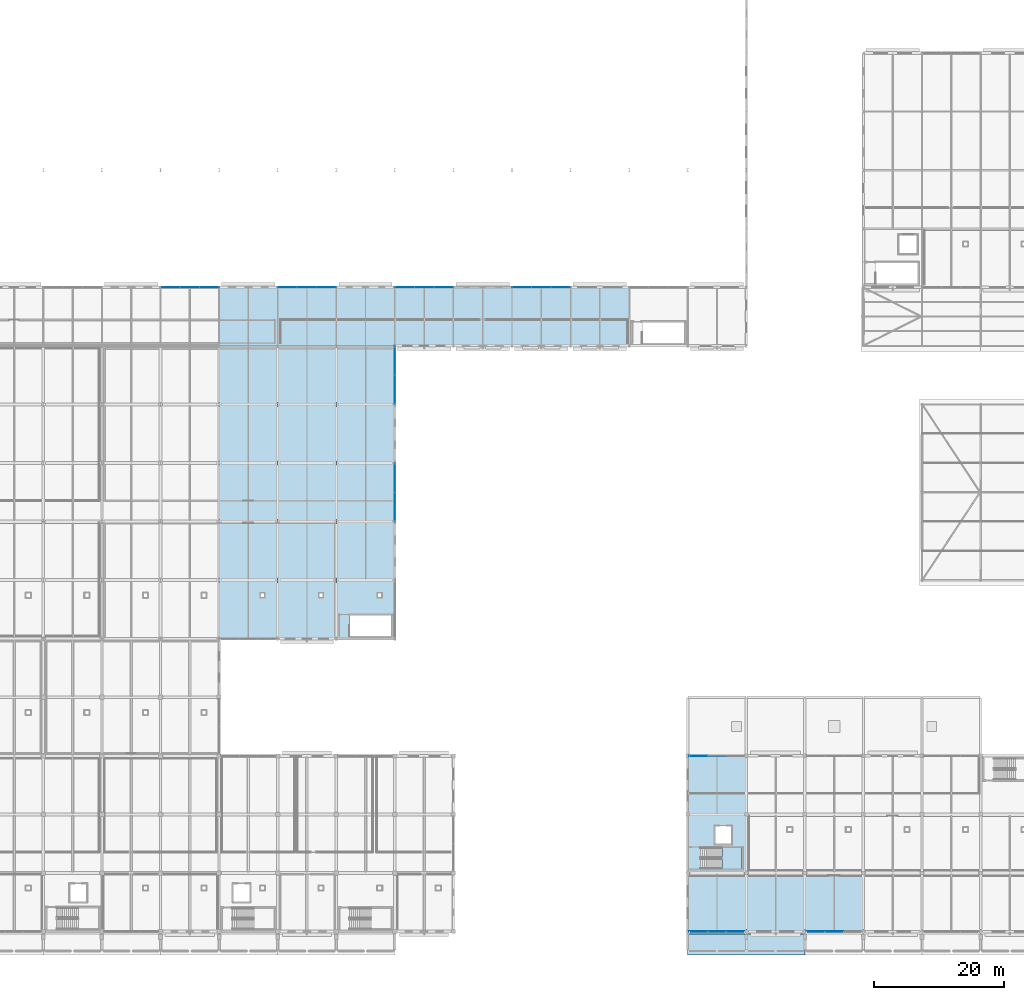
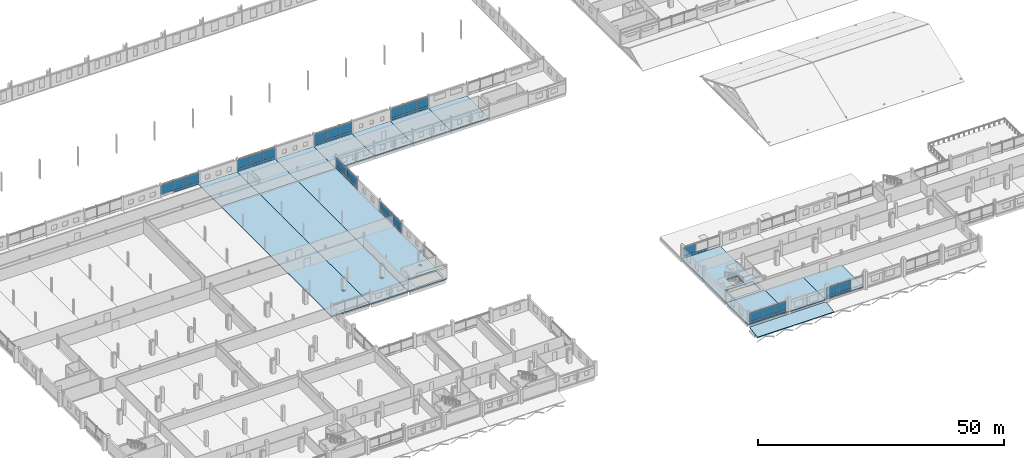
# One storey, part 94 of 132: 44 plates, 16 slabs, 10 elements without a shape of their own.
"""IFC4 building model written with IfcOpenShell, lengths in metres."""

from ifc_helpers import new_model, si_unit, direction, frame, origin, origin_2d, place, context, subcontext, project, spatial, polyline, rectangle, outline, extrude, material, layer, layer_set, type_object, element, aggregate, save


model = new_model("IFC4")

# Units and contexts
model_context = context("Model", 3, precision=1e-05, world=origin(), true_north=direction((0.0, 1.0)))
body_context = subcontext(model_context, "Body", "Model", "MODEL_VIEW")
ifc_project = project(units=[si_unit("LENGTHUNIT", "METRE"), si_unit("AREAUNIT", "SQUARE_METRE"), si_unit("VOLUMEUNIT", "CUBIC_METRE"), si_unit("PLANEANGLEUNIT", "RADIAN"), si_unit("MASSUNIT", "GRAM", prefix="KILO")], contexts=[model_context])

# Site, building, storey
site_placement = place(None, origin())
site = spatial("IfcSite", under=ifc_project, at=site_placement, CompositionType="ELEMENT")
building_placement = place(site_placement, origin())
building = spatial("IfcBuilding", under=site, at=building_placement, Name="Tharagai Park Tramway Depot", CompositionType="ELEMENT")
storey_placement = place(building_placement, frame((0.0, 0.0, 4.800048828125)))
storey = spatial("IfcBuildingStorey", under=building, at=storey_placement, Name="L01", CompositionType="ELEMENT", Elevation=4.800048828125)

# Curtain wall, plates
ifc_material_1 = material(Name="Anodised aluminium", Category="aluminium")
curtain_wall_type_1 = type_object("IfcCurtainWallType", Name="CW-06", PredefinedType="NOTDEFINED", material=ifc_material_1)
curtain_wall_1_placement = place(storey_placement, origin())
curtain_wall_1 = element("IfcCurtainWall", 1, at=curtain_wall_1_placement, inside=storey, type_object=curtain_wall_type_1, Name="L01 V5 Gothic Mullioned Curtain Wall CW-06", PredefinedType="NOTDEFINED")
ifc_layer_1 = layer(ifc_material_1, 0.0400390625)
ifc_layer_set_1 = layer_set([ifc_layer_1], Name="Anodised aluminium")
plate_type_1 = type_object("IfcPlateType", Name="CP-01", PredefinedType="CURTAIN_PANEL", material=ifc_layer_set_1)
plate_1_placement = place(storey_placement, frame((136.6767578125, 0.0, 0.080078125), z_axis=(0.0, 0.0, 1.0), x_axis=(1.0, 0.0, 0.0)))
plate_1 = element("IfcPlate", 2, at=plate_1_placement, type_object=plate_type_1, Name="L01 V5 Gothic Mullioned Curtain Wall Spandrel Panel 1.1", PredefinedType="CURTAIN_PANEL", context=body_context, shape_type="SweptSolid", body=[
    extrude(rectangle(XDim=2.80322265625, YDim=0.0400390625, at=origin_2d()), origin(), (0.0, 0.0, 1.0), 0.550048828125),
])
plate_2_placement = place(storey_placement, frame((139.5, 0.0, 0.080078125), z_axis=(0.0, 0.0, 1.0), x_axis=(1.0, 0.0, 0.0)))
plate_2 = element("IfcPlate", 3, at=plate_2_placement, type_object=plate_type_1, Name="L01 V5 Gothic Mullioned Curtain Wall Spandrel Panel 2.1", PredefinedType="CURTAIN_PANEL", context=body_context, shape_type="SweptSolid", body=[
    extrude(rectangle(XDim=2.80322265625, YDim=0.0400390625, at=origin_2d()), origin(), (0.0, 0.0, 1.0), 0.550048828125),
])
plate_3_placement = place(storey_placement, frame((142.3232421875, 0.0, 0.080078125), z_axis=(0.0, 0.0, 1.0), x_axis=(1.0, 0.0, 0.0)))
plate_3 = element("IfcPlate", 4, at=plate_3_placement, type_object=plate_type_1, Name="L01 V5 Gothic Mullioned Curtain Wall Spandrel Panel 3.1", PredefinedType="CURTAIN_PANEL", context=body_context, shape_type="SweptSolid", body=[
    extrude(rectangle(XDim=2.80322265625, YDim=0.0400390625, at=origin_2d()), origin(), (0.0, 0.0, 1.0), 0.550048828125),
])

curtain_wall_2_placement = place(storey_placement, origin())
curtain_wall_2 = element("IfcCurtainWall", 5, at=curtain_wall_2_placement, inside=storey, type_object=curtain_wall_type_1, Name="L01 V5 Gothic Mullioned Curtain Wall CW-06", PredefinedType="NOTDEFINED")
plate_4_placement = place(storey_placement, frame((154.6767578125, 0.0, 0.080078125), z_axis=(0.0, 0.0, 1.0), x_axis=(1.0, 0.0, 0.0)))
plate_4 = element("IfcPlate", 6, at=plate_4_placement, type_object=plate_type_1, Name="L01 V5 Gothic Mullioned Curtain Wall Spandrel Panel 1.1", PredefinedType="CURTAIN_PANEL", context=body_context, shape_type="SweptSolid", body=[
    extrude(rectangle(XDim=2.80322265625, YDim=0.0400390625, at=origin_2d()), origin(), (0.0, 0.0, 1.0), 0.550048828125),
])
plate_5_placement = place(storey_placement, frame((157.5, 0.0, 0.080078125), z_axis=(0.0, 0.0, 1.0), x_axis=(1.0, 0.0, 0.0)))
plate_5 = element("IfcPlate", 7, at=plate_5_placement, type_object=plate_type_1, Name="L01 V5 Gothic Mullioned Curtain Wall Spandrel Panel 2.1", PredefinedType="CURTAIN_PANEL", context=body_context, shape_type="SweptSolid", body=[
    extrude(rectangle(XDim=2.80322265625, YDim=0.0400390625, at=origin_2d()), origin(), (0.0, 0.0, 1.0), 0.550048828125),
])

curtain_wall_3_placement = place(storey_placement, origin())
curtain_wall_3 = element("IfcCurtainWall", 8, at=curtain_wall_3_placement, inside=storey, type_object=curtain_wall_type_1, Name="L01 V5 Gothic Mullioned Curtain Wall CW-06", PredefinedType="NOTDEFINED")
plate_6_placement = place(storey_placement, frame((136.6767578125, 27.0, 0.080078125), z_axis=(0.0, 0.0, 1.0), x_axis=(1.0, 0.0, 0.0)))
plate_6 = element("IfcPlate", 9, at=plate_6_placement, type_object=plate_type_1, Name="L01 V5 Gothic Mullioned Curtain Wall Spandrel Panel 1.1", PredefinedType="CURTAIN_PANEL", context=body_context, shape_type="SweptSolid", body=[
    extrude(rectangle(XDim=2.80322265625, YDim=0.0400390625, at=origin_2d()), origin(), (0.0, 0.0, 1.0), 0.550048828125),
])
plate_7_placement = place(storey_placement, frame((139.5, 27.0, 0.080078125), z_axis=(0.0, 0.0, 1.0), x_axis=(1.0, 0.0, 0.0)))
plate_7 = element("IfcPlate", 10, at=plate_7_placement, type_object=plate_type_1, Name="L01 V5 Gothic Mullioned Curtain Wall Spandrel Panel 2.1", PredefinedType="CURTAIN_PANEL", context=body_context, shape_type="SweptSolid", body=[
    extrude(rectangle(XDim=2.80322265625, YDim=0.0400390625, at=origin_2d()), origin(), (0.0, 0.0, 1.0), 0.550048828125),
])

curtain_wall_type_2 = type_object("IfcCurtainWallType", Name="CW-01", PredefinedType="NOTDEFINED", material=ifc_material_1)
curtain_wall_4_placement = place(storey_placement, origin())
curtain_wall_4 = element("IfcCurtainWall", 11, at=curtain_wall_4_placement, inside=storey, type_object=curtain_wall_type_2, Name="L01 V1 Gothic Mullioned Curtain Wall CW-01", PredefinedType="NOTDEFINED")
plate_8_placement = place(storey_placement, frame((58.5, 99.0, 0.080078125), z_axis=(0.0, 0.0, 1.0), x_axis=(1.0, 0.0, 0.0)))
plate_8 = element("IfcPlate", 12, at=plate_8_placement, type_object=plate_type_1, Name="L01 V1 Gothic Mullioned Curtain Wall Spandrel Panel 2.1", PredefinedType="CURTAIN_PANEL", context=body_context, shape_type="SweptSolid", body=[
    extrude(rectangle(XDim=2.982666015625, YDim=0.0400390625, at=origin_2d()), origin(), (0.0, 0.0, 1.0), 0.550048828125),
])
plate_9_placement = place(storey_placement, frame((61.502685546875, 99.0, 0.080078125), z_axis=(0.0, 0.0, 1.0), x_axis=(1.0, 0.0, 0.0)))
plate_9 = element("IfcPlate", 13, at=plate_9_placement, type_object=plate_type_1, Name="L01 V1 Gothic Mullioned Curtain Wall Spandrel Panel 3.1", PredefinedType="CURTAIN_PANEL", context=body_context, shape_type="SweptSolid", body=[
    extrude(rectangle(XDim=2.982666015625, YDim=0.0400390625, at=origin_2d()), origin(), (0.0, 0.0, 1.0), 0.550048828125),
])

curtain_wall_5_placement = place(storey_placement, origin())
curtain_wall_5 = element("IfcCurtainWall", 14, at=curtain_wall_5_placement, inside=storey, type_object=curtain_wall_type_2, Name="L01 V1 Gothic Mullioned Curtain Wall CW-01", PredefinedType="NOTDEFINED")
plate_10_placement = place(storey_placement, frame((73.497314453125, 99.0, 0.080078125), z_axis=(0.0, 0.0, 1.0), x_axis=(1.0, 0.0, 0.0)))
plate_10 = element("IfcPlate", 15, at=plate_10_placement, type_object=plate_type_1, Name="L01 V1 Gothic Mullioned Curtain Wall Spandrel Panel 1.1", PredefinedType="CURTAIN_PANEL", context=body_context, shape_type="SweptSolid", body=[
    extrude(rectangle(XDim=2.982666015625, YDim=0.0400390625, at=origin_2d()), origin(), (0.0, 0.0, 1.0), 0.550048828125),
])
plate_11_placement = place(storey_placement, frame((76.5, 99.0, 0.080078125), z_axis=(0.0, 0.0, 1.0), x_axis=(1.0, 0.0, 0.0)))
plate_11 = element("IfcPlate", 16, at=plate_11_placement, type_object=plate_type_1, Name="L01 V1 Gothic Mullioned Curtain Wall Spandrel Panel 2.1", PredefinedType="CURTAIN_PANEL", context=body_context, shape_type="SweptSolid", body=[
    extrude(rectangle(XDim=2.982666015625, YDim=0.0400390625, at=origin_2d()), origin(), (0.0, 0.0, 1.0), 0.550048828125),
])
plate_12_placement = place(storey_placement, frame((79.502685546875, 99.0, 0.080078125), z_axis=(0.0, 0.0, 1.0), x_axis=(1.0, 0.0, 0.0)))
plate_12 = element("IfcPlate", 17, at=plate_12_placement, type_object=plate_type_1, Name="L01 V1 Gothic Mullioned Curtain Wall Spandrel Panel 3.1", PredefinedType="CURTAIN_PANEL", context=body_context, shape_type="SweptSolid", body=[
    extrude(rectangle(XDim=2.982666015625, YDim=0.0400390625, at=origin_2d()), origin(), (0.0, 0.0, 1.0), 0.550048828125),
])

curtain_wall_6_placement = place(storey_placement, origin())
curtain_wall_6 = element("IfcCurtainWall", 18, at=curtain_wall_6_placement, inside=storey, type_object=curtain_wall_type_2, Name="L01 V1 Gothic Mullioned Curtain Wall CW-01", PredefinedType="NOTDEFINED")
plate_13_placement = place(storey_placement, frame((91.497314453125, 99.0, 0.080078125), z_axis=(0.0, 0.0, 1.0), x_axis=(1.0, 0.0, 0.0)))
plate_13 = element("IfcPlate", 19, at=plate_13_placement, type_object=plate_type_1, Name="L01 V1 Gothic Mullioned Curtain Wall Spandrel Panel 1.1", PredefinedType="CURTAIN_PANEL", context=body_context, shape_type="SweptSolid", body=[
    extrude(rectangle(XDim=2.982666015625, YDim=0.0400390625, at=origin_2d()), origin(), (0.0, 0.0, 1.0), 0.550048828125),
])
plate_14_placement = place(storey_placement, frame((94.5, 99.0, 0.080078125), z_axis=(0.0, 0.0, 1.0), x_axis=(1.0, 0.0, 0.0)))
plate_14 = element("IfcPlate", 20, at=plate_14_placement, type_object=plate_type_1, Name="L01 V1 Gothic Mullioned Curtain Wall Spandrel Panel 2.1", PredefinedType="CURTAIN_PANEL", context=body_context, shape_type="SweptSolid", body=[
    extrude(rectangle(XDim=2.982666015625, YDim=0.0400390625, at=origin_2d()), origin(), (0.0, 0.0, 1.0), 0.550048828125),
])
plate_15_placement = place(storey_placement, frame((97.502685546875, 99.0, 0.080078125), z_axis=(0.0, 0.0, 1.0), x_axis=(1.0, 0.0, 0.0)))
plate_15 = element("IfcPlate", 21, at=plate_15_placement, type_object=plate_type_1, Name="L01 V1 Gothic Mullioned Curtain Wall Spandrel Panel 3.1", PredefinedType="CURTAIN_PANEL", context=body_context, shape_type="SweptSolid", body=[
    extrude(rectangle(XDim=2.982666015625, YDim=0.0400390625, at=origin_2d()), origin(), (0.0, 0.0, 1.0), 0.550048828125),
])

curtain_wall_7_placement = place(storey_placement, origin())
curtain_wall_7 = element("IfcCurtainWall", 22, at=curtain_wall_7_placement, inside=storey, type_object=curtain_wall_type_2, Name="L01 V1 Gothic Mullioned Curtain Wall CW-01", PredefinedType="NOTDEFINED")
plate_16_placement = place(storey_placement, frame((109.497314453125, 99.0, 0.080078125), z_axis=(0.0, 0.0, 1.0), x_axis=(1.0, 0.0, 0.0)))
plate_16 = element("IfcPlate", 23, at=plate_16_placement, type_object=plate_type_1, Name="L01 V1 Gothic Mullioned Curtain Wall Spandrel Panel 1.1", PredefinedType="CURTAIN_PANEL", context=body_context, shape_type="SweptSolid", body=[
    extrude(rectangle(XDim=2.982666015625, YDim=0.0400390625, at=origin_2d()), origin(), (0.0, 0.0, 1.0), 0.550048828125),
])
plate_17_placement = place(storey_placement, frame((112.5, 99.0, 0.080078125), z_axis=(0.0, 0.0, 1.0), x_axis=(1.0, 0.0, 0.0)))
plate_17 = element("IfcPlate", 24, at=plate_17_placement, type_object=plate_type_1, Name="L01 V1 Gothic Mullioned Curtain Wall Spandrel Panel 2.1", PredefinedType="CURTAIN_PANEL", context=body_context, shape_type="SweptSolid", body=[
    extrude(rectangle(XDim=2.982666015625, YDim=0.0400390625, at=origin_2d()), origin(), (0.0, 0.0, 1.0), 0.550048828125),
])
plate_18_placement = place(storey_placement, frame((115.502685546875, 99.0, 0.080078125), z_axis=(0.0, 0.0, 1.0), x_axis=(1.0, 0.0, 0.0)))
plate_18 = element("IfcPlate", 25, at=plate_18_placement, type_object=plate_type_1, Name="L01 V1 Gothic Mullioned Curtain Wall Spandrel Panel 3.1", PredefinedType="CURTAIN_PANEL", context=body_context, shape_type="SweptSolid", body=[
    extrude(rectangle(XDim=2.982666015625, YDim=0.0400390625, at=origin_2d()), origin(), (0.0, 0.0, 1.0), 0.550048828125),
])

curtain_wall_type_3 = type_object("IfcCurtainWallType", Name="CW-07", PredefinedType="NOTDEFINED", material=ifc_material_1)
curtain_wall_8_placement = place(storey_placement, origin())
curtain_wall_8 = element("IfcCurtainWall", 26, at=curtain_wall_8_placement, inside=storey, type_object=curtain_wall_type_3, Name="L01 V2 Side Mullioned Curtain Wall CW-07", PredefinedType="NOTDEFINED")
plate_19_placement = place(storey_placement, frame((90.0, 65.248046875, 0.080078125), z_axis=(0.0, 0.0, 1.0), x_axis=(0.0, 1.0, 0.0)))
plate_19 = element("IfcPlate", 27, at=plate_19_placement, type_object=plate_type_1, Name="L01 V2 Side Mullioned Curtain Wall Spandrel Panel 1.1", PredefinedType="CURTAIN_PANEL", context=body_context, shape_type="SweptSolid", body=[
    extrude(rectangle(XDim=4.48388671875, YDim=0.0400390625, at=origin_2d()), origin(), (0.0, 0.0, 1.0), 0.550048828125),
])
plate_20_placement = place(storey_placement, frame((90.0, 69.751953125, 0.080078125), z_axis=(0.0, 0.0, 1.0), x_axis=(0.0, 1.0, 0.0)))
plate_20 = element("IfcPlate", 28, at=plate_20_placement, type_object=plate_type_1, Name="L01 V2 Side Mullioned Curtain Wall Spandrel Panel 2.1", PredefinedType="CURTAIN_PANEL", context=body_context, shape_type="SweptSolid", body=[
    extrude(rectangle(XDim=4.48388671875, YDim=0.0400390625, at=origin_2d()), origin(), (0.0, 0.0, 1.0), 0.550048828125),
])

curtain_wall_9_placement = place(storey_placement, origin())
curtain_wall_9 = element("IfcCurtainWall", 29, at=curtain_wall_9_placement, inside=storey, type_object=curtain_wall_type_3, Name="L01 V2 Side Mullioned Curtain Wall CW-07", PredefinedType="NOTDEFINED")
plate_21_placement = place(storey_placement, frame((90.0, 83.248046875, 0.080078125), z_axis=(0.0, 0.0, 1.0), x_axis=(0.0, 1.0, 0.0)))
plate_21 = element("IfcPlate", 30, at=plate_21_placement, type_object=plate_type_1, Name="L01 V2 Side Mullioned Curtain Wall Spandrel Panel 1.1", PredefinedType="CURTAIN_PANEL", context=body_context, shape_type="SweptSolid", body=[
    extrude(rectangle(XDim=4.48388671875, YDim=0.0400390625, at=origin_2d()), origin(), (0.0, 0.0, 1.0), 0.550048828125),
])
plate_22_placement = place(storey_placement, frame((90.0, 87.751953125, 0.080078125), z_axis=(0.0, 0.0, 1.0), x_axis=(0.0, 1.0, 0.0)))
plate_22 = element("IfcPlate", 31, at=plate_22_placement, type_object=plate_type_1, Name="L01 V2 Side Mullioned Curtain Wall Spandrel Panel 2.1", PredefinedType="CURTAIN_PANEL", context=body_context, shape_type="SweptSolid", body=[
    extrude(rectangle(XDim=4.48388671875, YDim=0.0400390625, at=origin_2d()), origin(), (0.0, 0.0, 1.0), 0.550048828125),
])

# Plate
ifc_material_2 = material(Name="Laminated solar-control glass", Category="glass")
ifc_layer_2 = layer(ifc_material_2, 0.028076171875)
ifc_layer_set_2 = layer_set([ifc_layer_2], Name="Laminated solar-control glass")
plate_type_2 = type_object("IfcPlateType", Name="CP-02", PredefinedType="CURTAIN_PANEL", material=ifc_layer_set_2)
plate_23_placement = place(storey_placement, frame((136.6767578125, 0.0, 0.669921875), z_axis=(0.0, 0.0, 1.0), x_axis=(1.0, 0.0, 0.0)))
plate_23 = element("IfcPlate", 32, at=plate_23_placement, type_object=plate_type_2, Name="L01 V5 Gothic Mullioned Curtain Wall Glazed Panel 1.2", PredefinedType="CURTAIN_PANEL", context=body_context, shape_type="SweptSolid", body=[
    extrude(rectangle(XDim=2.80322265625, YDim=0.028076171875, at=origin_2d()), origin(), (0.0, 0.0, 1.0), 2.0400390625),
])

plate_24_placement = place(storey_placement, frame((139.5, 0.0, 0.669921875), z_axis=(0.0, 0.0, 1.0), x_axis=(1.0, 0.0, 0.0)))
plate_24 = element("IfcPlate", 33, at=plate_24_placement, type_object=plate_type_2, Name="L01 V5 Gothic Mullioned Curtain Wall Glazed Panel 2.2", PredefinedType="CURTAIN_PANEL", context=body_context, shape_type="SweptSolid", body=[
    extrude(rectangle(XDim=2.80322265625, YDim=0.028076171875, at=origin_2d()), origin(), (0.0, 0.0, 1.0), 2.0400390625),
])

plate_25_placement = place(storey_placement, frame((142.3232421875, 0.0, 0.669921875), z_axis=(0.0, 0.0, 1.0), x_axis=(1.0, 0.0, 0.0)))
plate_25 = element("IfcPlate", 34, at=plate_25_placement, type_object=plate_type_2, Name="L01 V5 Gothic Mullioned Curtain Wall Glazed Panel 3.2", PredefinedType="CURTAIN_PANEL", context=body_context, shape_type="SweptSolid", body=[
    extrude(rectangle(XDim=2.80322265625, YDim=0.028076171875, at=origin_2d()), origin(), (0.0, 0.0, 1.0), 2.0400390625),
])

aggregate(curtain_wall_1, [plate_1, plate_23, plate_2, plate_24, plate_3, plate_25])

plate_26_placement = place(storey_placement, frame((154.6767578125, 0.0, 0.669921875), z_axis=(0.0, 0.0, 1.0), x_axis=(1.0, 0.0, 0.0)))
plate_26 = element("IfcPlate", 35, at=plate_26_placement, type_object=plate_type_2, Name="L01 V5 Gothic Mullioned Curtain Wall Glazed Panel 1.2", PredefinedType="CURTAIN_PANEL", context=body_context, shape_type="SweptSolid", body=[
    extrude(rectangle(XDim=2.80322265625, YDim=0.028076171875, at=origin_2d()), origin(), (0.0, 0.0, 1.0), 2.0400390625),
])

plate_27_placement = place(storey_placement, frame((157.5, 0.0, 0.669921875), z_axis=(0.0, 0.0, 1.0), x_axis=(1.0, 0.0, 0.0)))
plate_27 = element("IfcPlate", 36, at=plate_27_placement, type_object=plate_type_2, Name="L01 V5 Gothic Mullioned Curtain Wall Glazed Panel 2.2", PredefinedType="CURTAIN_PANEL", context=body_context, shape_type="SweptSolid", body=[
    extrude(rectangle(XDim=2.80322265625, YDim=0.028076171875, at=origin_2d()), origin(), (0.0, 0.0, 1.0), 2.0400390625),
])

aggregate(curtain_wall_2, [plate_4, plate_26, plate_5, plate_27])

plate_28_placement = place(storey_placement, frame((136.6767578125, 27.0, 0.669921875), z_axis=(0.0, 0.0, 1.0), x_axis=(1.0, 0.0, 0.0)))
plate_28 = element("IfcPlate", 37, at=plate_28_placement, type_object=plate_type_2, Name="L01 V5 Gothic Mullioned Curtain Wall Glazed Panel 1.2", PredefinedType="CURTAIN_PANEL", context=body_context, shape_type="SweptSolid", body=[
    extrude(rectangle(XDim=2.80322265625, YDim=0.028076171875, at=origin_2d()), origin(), (0.0, 0.0, 1.0), 2.0),
])

aggregate(curtain_wall_3, [plate_6, plate_28, plate_7])

plate_29_placement = place(storey_placement, frame((55.497314453125, 99.0, 0.669921875), z_axis=(0.0, 0.0, 1.0), x_axis=(1.0, 0.0, 0.0)))
plate_29 = element("IfcPlate", 38, at=plate_29_placement, type_object=plate_type_2, Name="L01 V1 Gothic Mullioned Curtain Wall Glazed Panel 1.2", PredefinedType="CURTAIN_PANEL", context=body_context, shape_type="SweptSolid", body=[
    extrude(rectangle(XDim=2.982666015625, YDim=0.028076171875, at=origin_2d()), origin(), (0.0, 0.0, 1.0), 2.280029296875),
])

plate_30_placement = place(storey_placement, frame((58.5, 99.0, 0.669921875), z_axis=(0.0, 0.0, 1.0), x_axis=(1.0, 0.0, 0.0)))
plate_30 = element("IfcPlate", 39, at=plate_30_placement, type_object=plate_type_2, Name="L01 V1 Gothic Mullioned Curtain Wall Glazed Panel 2.2", PredefinedType="CURTAIN_PANEL", context=body_context, shape_type="SweptSolid", body=[
    extrude(rectangle(XDim=2.982666015625, YDim=0.028076171875, at=origin_2d()), origin(), (0.0, 0.0, 1.0), 2.280029296875),
])

plate_31_placement = place(storey_placement, frame((61.502685546875, 99.0, 0.669921875), z_axis=(0.0, 0.0, 1.0), x_axis=(1.0, 0.0, 0.0)))
plate_31 = element("IfcPlate", 40, at=plate_31_placement, type_object=plate_type_2, Name="L01 V1 Gothic Mullioned Curtain Wall Glazed Panel 3.2", PredefinedType="CURTAIN_PANEL", context=body_context, shape_type="SweptSolid", body=[
    extrude(rectangle(XDim=2.982666015625, YDim=0.028076171875, at=origin_2d()), origin(), (0.0, 0.0, 1.0), 2.280029296875),
])

aggregate(curtain_wall_4, [plate_29, plate_8, plate_30, plate_9, plate_31])

plate_32_placement = place(storey_placement, frame((73.497314453125, 99.0, 0.669921875), z_axis=(0.0, 0.0, 1.0), x_axis=(1.0, 0.0, 0.0)))
plate_32 = element("IfcPlate", 41, at=plate_32_placement, type_object=plate_type_2, Name="L01 V1 Gothic Mullioned Curtain Wall Glazed Panel 1.2", PredefinedType="CURTAIN_PANEL", context=body_context, shape_type="SweptSolid", body=[
    extrude(rectangle(XDim=2.982666015625, YDim=0.028076171875, at=origin_2d()), origin(), (0.0, 0.0, 1.0), 2.280029296875),
])

plate_33_placement = place(storey_placement, frame((76.5, 99.0, 0.669921875), z_axis=(0.0, 0.0, 1.0), x_axis=(1.0, 0.0, 0.0)))
plate_33 = element("IfcPlate", 42, at=plate_33_placement, type_object=plate_type_2, Name="L01 V1 Gothic Mullioned Curtain Wall Glazed Panel 2.2", PredefinedType="CURTAIN_PANEL", context=body_context, shape_type="SweptSolid", body=[
    extrude(rectangle(XDim=2.982666015625, YDim=0.028076171875, at=origin_2d()), origin(), (0.0, 0.0, 1.0), 2.280029296875),
])

plate_34_placement = place(storey_placement, frame((79.502685546875, 99.0, 0.669921875), z_axis=(0.0, 0.0, 1.0), x_axis=(1.0, 0.0, 0.0)))
plate_34 = element("IfcPlate", 43, at=plate_34_placement, type_object=plate_type_2, Name="L01 V1 Gothic Mullioned Curtain Wall Glazed Panel 3.2", PredefinedType="CURTAIN_PANEL", context=body_context, shape_type="SweptSolid", body=[
    extrude(rectangle(XDim=2.982666015625, YDim=0.028076171875, at=origin_2d()), origin(), (0.0, 0.0, 1.0), 2.280029296875),
])

aggregate(curtain_wall_5, [plate_10, plate_32, plate_11, plate_33, plate_12, plate_34])

plate_35_placement = place(storey_placement, frame((91.497314453125, 99.0, 0.669921875), z_axis=(0.0, 0.0, 1.0), x_axis=(1.0, 0.0, 0.0)))
plate_35 = element("IfcPlate", 44, at=plate_35_placement, type_object=plate_type_2, Name="L01 V1 Gothic Mullioned Curtain Wall Glazed Panel 1.2", PredefinedType="CURTAIN_PANEL", context=body_context, shape_type="SweptSolid", body=[
    extrude(rectangle(XDim=2.982666015625, YDim=0.028076171875, at=origin_2d()), origin(), (0.0, 0.0, 1.0), 2.280029296875),
])

plate_36_placement = place(storey_placement, frame((94.5, 99.0, 0.669921875), z_axis=(0.0, 0.0, 1.0), x_axis=(1.0, 0.0, 0.0)))
plate_36 = element("IfcPlate", 45, at=plate_36_placement, type_object=plate_type_2, Name="L01 V1 Gothic Mullioned Curtain Wall Glazed Panel 2.2", PredefinedType="CURTAIN_PANEL", context=body_context, shape_type="SweptSolid", body=[
    extrude(rectangle(XDim=2.982666015625, YDim=0.028076171875, at=origin_2d()), origin(), (0.0, 0.0, 1.0), 2.280029296875),
])

plate_37_placement = place(storey_placement, frame((97.502685546875, 99.0, 0.669921875), z_axis=(0.0, 0.0, 1.0), x_axis=(1.0, 0.0, 0.0)))
plate_37 = element("IfcPlate", 46, at=plate_37_placement, type_object=plate_type_2, Name="L01 V1 Gothic Mullioned Curtain Wall Glazed Panel 3.2", PredefinedType="CURTAIN_PANEL", context=body_context, shape_type="SweptSolid", body=[
    extrude(rectangle(XDim=2.982666015625, YDim=0.028076171875, at=origin_2d()), origin(), (0.0, 0.0, 1.0), 2.280029296875),
])

aggregate(curtain_wall_6, [plate_13, plate_35, plate_14, plate_36, plate_15, plate_37])

plate_38_placement = place(storey_placement, frame((109.497314453125, 99.0, 0.669921875), z_axis=(0.0, 0.0, 1.0), x_axis=(1.0, 0.0, 0.0)))
plate_38 = element("IfcPlate", 47, at=plate_38_placement, type_object=plate_type_2, Name="L01 V1 Gothic Mullioned Curtain Wall Glazed Panel 1.2", PredefinedType="CURTAIN_PANEL", context=body_context, shape_type="SweptSolid", body=[
    extrude(rectangle(XDim=2.982666015625, YDim=0.028076171875, at=origin_2d()), origin(), (0.0, 0.0, 1.0), 2.280029296875),
])

plate_39_placement = place(storey_placement, frame((112.5, 99.0, 0.669921875), z_axis=(0.0, 0.0, 1.0), x_axis=(1.0, 0.0, 0.0)))
plate_39 = element("IfcPlate", 48, at=plate_39_placement, type_object=plate_type_2, Name="L01 V1 Gothic Mullioned Curtain Wall Glazed Panel 2.2", PredefinedType="CURTAIN_PANEL", context=body_context, shape_type="SweptSolid", body=[
    extrude(rectangle(XDim=2.982666015625, YDim=0.028076171875, at=origin_2d()), origin(), (0.0, 0.0, 1.0), 2.280029296875),
])

plate_40_placement = place(storey_placement, frame((115.502685546875, 99.0, 0.669921875), z_axis=(0.0, 0.0, 1.0), x_axis=(1.0, 0.0, 0.0)))
plate_40 = element("IfcPlate", 49, at=plate_40_placement, type_object=plate_type_2, Name="L01 V1 Gothic Mullioned Curtain Wall Glazed Panel 3.2", PredefinedType="CURTAIN_PANEL", context=body_context, shape_type="SweptSolid", body=[
    extrude(rectangle(XDim=2.982666015625, YDim=0.028076171875, at=origin_2d()), origin(), (0.0, 0.0, 1.0), 2.280029296875),
])

aggregate(curtain_wall_7, [plate_16, plate_38, plate_17, plate_39, plate_18, plate_40])

plate_41_placement = place(storey_placement, frame((90.0, 65.248046875, 0.669921875), z_axis=(0.0, 0.0, 1.0), x_axis=(0.0, 1.0, 0.0)))
plate_41 = element("IfcPlate", 50, at=plate_41_placement, type_object=plate_type_2, Name="L01 V2 Side Mullioned Curtain Wall Glazed Panel 1.2", PredefinedType="CURTAIN_PANEL", context=body_context, shape_type="SweptSolid", body=[
    extrude(rectangle(XDim=4.48388671875, YDim=0.028076171875, at=origin_2d()), origin(), (0.0, 0.0, 1.0), 1.97998046875),
])

plate_42_placement = place(storey_placement, frame((90.0, 69.751953125, 0.669921875), z_axis=(0.0, 0.0, 1.0), x_axis=(0.0, 1.0, 0.0)))
plate_42 = element("IfcPlate", 51, at=plate_42_placement, type_object=plate_type_2, Name="L01 V2 Side Mullioned Curtain Wall Glazed Panel 2.2", PredefinedType="CURTAIN_PANEL", context=body_context, shape_type="SweptSolid", body=[
    extrude(rectangle(XDim=4.48388671875, YDim=0.028076171875, at=origin_2d()), origin(), (0.0, 0.0, 1.0), 1.97998046875),
])

aggregate(curtain_wall_8, [plate_19, plate_41, plate_20, plate_42])

plate_43_placement = place(storey_placement, frame((90.0, 83.248046875, 0.669921875), z_axis=(0.0, 0.0, 1.0), x_axis=(0.0, 1.0, 0.0)))
plate_43 = element("IfcPlate", 52, at=plate_43_placement, type_object=plate_type_2, Name="L01 V2 Side Mullioned Curtain Wall Glazed Panel 1.2", PredefinedType="CURTAIN_PANEL", context=body_context, shape_type="SweptSolid", body=[
    extrude(rectangle(XDim=4.48388671875, YDim=0.028076171875, at=origin_2d()), origin(), (0.0, 0.0, 1.0), 2.080078125),
])

plate_44_placement = place(storey_placement, frame((90.0, 87.751953125, 0.669921875), z_axis=(0.0, 0.0, 1.0), x_axis=(0.0, 1.0, 0.0)))
plate_44 = element("IfcPlate", 53, at=plate_44_placement, type_object=plate_type_2, Name="L01 V2 Side Mullioned Curtain Wall Glazed Panel 2.2", PredefinedType="CURTAIN_PANEL", context=body_context, shape_type="SweptSolid", body=[
    extrude(rectangle(XDim=4.48388671875, YDim=0.028076171875, at=origin_2d()), origin(), (0.0, 0.0, 1.0), 2.080078125),
])

aggregate(curtain_wall_9, [plate_21, plate_43, plate_22, plate_44])

# Stair, slab
ifc_material_3 = material(Name="Concrete M35", Category="concrete")
stair_type = type_object("IfcStairType", Name="STT-02", PredefinedType="HALF_TURN_STAIR", material=ifc_material_3)
stair_placement = place(storey_placement, origin())
stair = element("IfcStair", 54, at=stair_placement, inside=storey, type_object=stair_type, Name="L01 Protected Exit Stair ST-06", PredefinedType="HALF_TURN_STAIR")
ifc_layer_3 = layer(ifc_material_3, 0.199951171875)
ifc_layer_set_3 = layer_set([ifc_layer_3], Name="Concrete M35")
slab_type_1 = type_object("IfcSlabType", Name="LN-01", PredefinedType="LANDING", material=ifc_layer_set_3)
slab_1_placement = place(storey_placement, frame((0.0, 0.0, 1.599853515625)))
slab_1 = element("IfcSlab", 55, at=slab_1_placement, type_object=slab_type_1, Name="ST-06 landing 1", PredefinedType="LANDING", context=body_context, shape_type="SweptSolid", body=[
    extrude(outline(polyline([(140.25, 9.64990234375), (143.360107421875, 9.64990234375), (143.360107421875, 12.89990234375), (140.25, 12.89990234375), (140.25, 9.64990234375)])), origin(), (0.0, 0.0, 1.0), 0.2001953125),
])
aggregate(stair, [slab_1])

# Slabs
ifc_layer_4 = layer(ifc_material_3, 0.169921875)
ifc_layer_set_4 = layer_set([ifc_layer_4], Name="Concrete M35")
slab_type_2 = type_object("IfcSlabType", Name="RS-02", PredefinedType="ROOF", material=ifc_layer_set_4)
slab_2_placement = place(storey_placement, frame((135.0, -3.60009765625, -0.9599609375), z_axis=(0.0, -0.175637063894, 0.984454987182), x_axis=(1.0, 0.0, 0.0)))
element("IfcSlab", 56, at=slab_2_placement, inside=storey, type_object=slab_type_2, Name="Gothic Park Cloister Sloped Monsoon Roof 1", PredefinedType="ROOF", context=body_context, shape_type="SweptSolid", body=[
    extrude(outline(polyline([(0.0, 0.0), (18.0, 0.0), (18.0, 3.3013190469017357), (0.0, 3.3013190469017357), (0.0, 0.0)])), origin(), (0.0, 0.0, -1.0), 0.169921875),
])
ifc_layer_5 = layer(ifc_material_3, 0.179931640625)
ifc_layer_set_5 = layer_set([ifc_layer_5], Name="Concrete M35")
slab_type_3 = type_object("IfcSlabType", Name="SB-01", PredefinedType="FLOOR", material=ifc_layer_set_5)
slab_3_placement = place(storey_placement, frame((0.0, 0.0, -0.179931640625)))
element("IfcSlab", 57, at=slab_3_placement, inside=storey, type_object=slab_type_3, Name="L01 V1 Suspended Floor Slab Bay 8", PredefinedType="FLOOR", context=body_context, shape_type="SweptSolid", body=[
    extrude(outline(polyline([(63.0, 90.0), (72.0, 90.0), (72.0, 99.0), (63.0, 99.0), (63.0, 90.0)])), origin(), (0.0, 0.0, 1.0), 0.179931640625),
])
slab_4_placement = place(storey_placement, frame((0.0, 0.0, -0.179931640625)))
element("IfcSlab", 58, at=slab_4_placement, inside=storey, type_object=slab_type_3, Name="L01 V1 Suspended Floor Slab Bay 9", PredefinedType="FLOOR", context=body_context, shape_type="SweptSolid", body=[
    extrude(outline(polyline([(72.0, 90.0), (81.0, 90.0), (81.0, 99.0), (72.0, 99.0), (72.0, 90.0)])), origin(), (0.0, 0.0, 1.0), 0.179931640625),
])
slab_5_placement = place(storey_placement, frame((0.0, 0.0, -0.179931640625)))
element("IfcSlab", 59, at=slab_5_placement, inside=storey, type_object=slab_type_3, Name="L01 V1 Suspended Floor Slab Bay 10", PredefinedType="FLOOR", context=body_context, shape_type="SweptSolid", body=[
    extrude(outline(polyline([(81.0, 90.0), (90.0, 90.0), (90.0, 99.0), (81.0, 99.0), (81.0, 90.0)])), origin(), (0.0, 0.0, 1.0), 0.179931640625),
])
slab_6_placement = place(storey_placement, frame((0.0, 0.0, -0.179931640625)))
element("IfcSlab", 60, at=slab_6_placement, inside=storey, type_object=slab_type_3, Name="L01 V1 Suspended Floor Slab Bay 11", PredefinedType="FLOOR", context=body_context, shape_type="SweptSolid", body=[
    extrude(outline(polyline([(90.0, 90.0), (99.0, 90.0), (99.0, 99.0), (90.0, 99.0), (90.0, 90.0)])), origin(), (0.0, 0.0, 1.0), 0.179931640625),
])
slab_7_placement = place(storey_placement, frame((0.0, 0.0, -0.179931640625)))
element("IfcSlab", 61, at=slab_7_placement, inside=storey, type_object=slab_type_3, Name="L01 V1 Suspended Floor Slab Bay 12", PredefinedType="FLOOR", context=body_context, shape_type="SweptSolid", body=[
    extrude(outline(polyline([(99.0, 90.0), (108.0, 90.0), (108.0, 99.0), (99.0, 99.0), (99.0, 90.0)])), origin(), (0.0, 0.0, 1.0), 0.179931640625),
])
slab_8_placement = place(storey_placement, frame((0.0, 0.0, -0.179931640625)))
element("IfcSlab", 62, at=slab_8_placement, inside=storey, type_object=slab_type_3, Name="L01 V1 Suspended Floor Slab Bay 13", PredefinedType="FLOOR", context=body_context, shape_type="SweptSolid", body=[
    extrude(outline(polyline([(108.0, 90.0), (117.0, 90.0), (117.0, 99.0), (108.0, 99.0), (108.0, 90.0)])), origin(), (0.0, 0.0, 1.0), 0.179931640625),
])
slab_9_placement = place(storey_placement, frame((0.0, 0.0, -0.179931640625)))
element("IfcSlab", 63, at=slab_9_placement, inside=storey, type_object=slab_type_3, Name="L01 V1 Suspended Floor Slab Bay 14", PredefinedType="FLOOR", context=body_context, shape_type="SweptSolid", body=[
    extrude(outline(polyline([(117.0, 90.0), (126.0, 90.0), (126.0, 99.0), (117.0, 99.0), (117.0, 90.0)])), origin(), (0.0, 0.0, 1.0), 0.179931640625),
])
ifc_layer_6 = layer(ifc_material_3, 0.280029296875)
ifc_layer_set_6 = layer_set([ifc_layer_6], Name="Concrete M35")
slab_type_4 = type_object("IfcSlabType", Name="SB-06", PredefinedType="FLOOR", material=ifc_layer_set_6)
slab_10_placement = place(storey_placement, frame((0.0, 0.0, -0.280029296875)))
element("IfcSlab", 64, at=slab_10_placement, inside=storey, type_object=slab_type_4, Name="L01 V2 Suspended Floor Slab Bay 8", PredefinedType="FLOOR", context=body_context, shape_type="SweptSolid", body=[
    extrude(outline(polyline([(63.0, 45.0), (72.0, 45.0), (72.0, 90.0), (63.0, 90.0), (63.0, 45.0)]), holes=[polyline([(69.39990234375, 51.39990234375), (69.949951171875, 51.39990234375), (69.949951171875, 51.949951171875), (69.39990234375, 51.949951171875), (69.39990234375, 51.39990234375)])]), origin(), (0.0, 0.0, 1.0), 0.280029296875),
])
slab_11_placement = place(storey_placement, frame((0.0, 0.0, -0.280029296875)))
element("IfcSlab", 65, at=slab_11_placement, inside=storey, type_object=slab_type_4, Name="L01 V2 Suspended Floor Slab Bay 9", PredefinedType="FLOOR", context=body_context, shape_type="SweptSolid", body=[
    extrude(outline(polyline([(72.0, 45.0), (81.0, 45.0), (81.0, 90.0), (72.0, 90.0), (72.0, 45.0)]), holes=[polyline([(78.39990234375, 51.39990234375), (78.949951171875, 51.39990234375), (78.949951171875, 51.949951171875), (78.39990234375, 51.949951171875), (78.39990234375, 51.39990234375)])]), origin(), (0.0, 0.0, 1.0), 0.280029296875),
])
slab_12_placement = place(storey_placement, frame((0.0, 0.0, -0.280029296875)))
element("IfcSlab", 66, at=slab_12_placement, inside=storey, type_object=slab_type_4, Name="L01 V2 Suspended Floor Slab Bay 10", PredefinedType="FLOOR", context=body_context, shape_type="SweptSolid", body=[
    extrude(outline(polyline([(81.0, 45.0), (90.0, 45.0), (90.0, 90.0), (81.0, 90.0), (81.0, 45.0)]), holes=[polyline([(83.0400390625, 45.39990234375), (89.47998046875, 45.39990234375), (89.47998046875, 48.590087890625), (83.0400390625, 48.590087890625), (83.0400390625, 45.39990234375)]), polyline([(87.39990234375, 51.39990234375), (87.949951171875, 51.39990234375), (87.949951171875, 51.949951171875), (87.39990234375, 51.949951171875), (87.39990234375, 51.39990234375)])]), origin(), (0.0, 0.0, 1.0), 0.280029296875),
])
ifc_layer_7 = layer(ifc_material_3, 0.22998046875)
ifc_layer_set_7 = layer_set([ifc_layer_7], Name="Concrete M35")
slab_type_5 = type_object("IfcSlabType", Name="SB-12", PredefinedType="FLOOR", material=ifc_layer_set_7)
slab_13_placement = place(storey_placement, frame((0.0, 0.0, -0.22998046875)))
element("IfcSlab", 67, at=slab_13_placement, inside=storey, type_object=slab_type_5, Name="L01 V5 Suspended Floor Slab Bay 1", PredefinedType="FLOOR", context=body_context, shape_type="SweptSolid", body=[
    extrude(outline(polyline([(135.0, 0.0), (144.0, 0.0), (144.0, 9.0), (135.0, 9.0), (135.0, 0.0)])), origin(), (0.0, 0.0, 1.0), 0.22998046875),
])
slab_14_placement = place(storey_placement, frame((0.0, 0.0, -0.22998046875)))
element("IfcSlab", 68, at=slab_14_placement, inside=storey, type_object=slab_type_5, Name="L01 V5 Suspended Floor Slab Bay 2", PredefinedType="FLOOR", context=body_context, shape_type="SweptSolid", body=[
    extrude(outline(polyline([(144.0, 0.0), (153.0, 0.0), (153.0, 9.0), (144.0, 9.0), (144.0, 0.0)])), origin(), (0.0, 0.0, 1.0), 0.22998046875),
])
slab_15_placement = place(storey_placement, frame((0.0, 0.0, -0.22998046875)))
element("IfcSlab", 69, at=slab_15_placement, inside=storey, type_object=slab_type_5, Name="L01 V5 Suspended Floor Slab Bay 3", PredefinedType="FLOOR", context=body_context, shape_type="SweptSolid", body=[
    extrude(outline(polyline([(153.0, 0.0), (162.0, 0.0), (162.0, 9.0), (153.0, 9.0), (153.0, 0.0)])), origin(), (0.0, 0.0, 1.0), 0.22998046875),
])
slab_16_placement = place(storey_placement, frame((0.0, 0.0, -0.22998046875)))
element("IfcSlab", 70, at=slab_16_placement, inside=storey, type_object=slab_type_5, Name="L01 V5 Suspended Floor Slab Bay 1", PredefinedType="FLOOR", context=body_context, shape_type="SweptSolid", body=[
    extrude(outline(polyline([(135.0, 9.0), (144.0, 9.0), (144.0, 27.0), (135.0, 27.0), (135.0, 9.0)]), holes=[polyline([(136.949951171875, 9.64990234375), (143.360107421875, 9.64990234375), (143.360107421875, 12.89990234375), (136.949951171875, 12.89990234375), (136.949951171875, 9.64990234375)]), polyline([(139.199951171875, 13.5), (141.699951171875, 13.5), (141.699951171875, 16.199951171875), (139.199951171875, 16.199951171875), (139.199951171875, 13.5)])]), origin(), (0.0, 0.0, 1.0), 0.22998046875),
])

save(model, "model.ifc")
